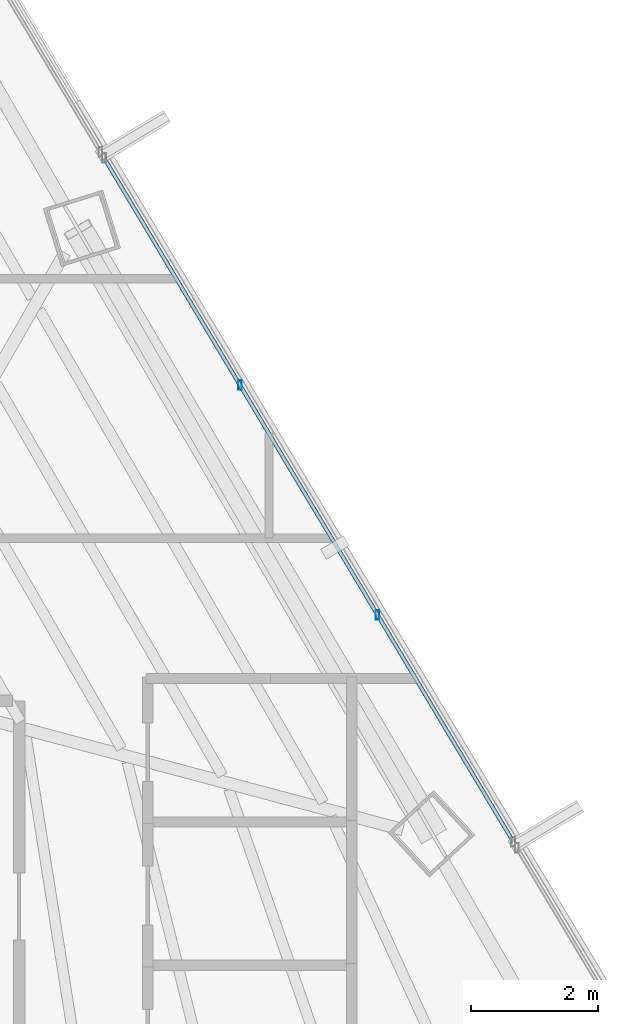
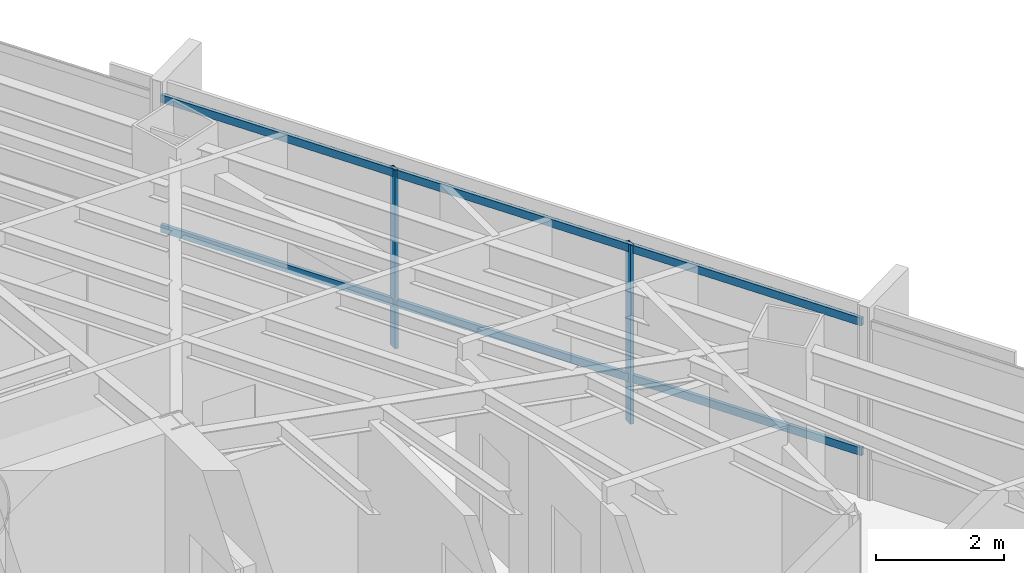
# One storey, part 25 of 41: 4 members, 1 element without a shape of its own.
"""IFC4 building model written with IfcOpenShell, lengths in metres."""

import ifcopenshell
import ifcopenshell.guid

model = None  # the IFC model being written
_history = None  # IfcOwnerHistory: only IFC2X3 demands one
_inside = {}  # id of a spatial element -> (the spatial element, [elements in it])
_under = {}  # id of a project, library or spatial element -> (it, [spatial elements below it])
_declared = {}  # id of a project -> (the project, [libraries it declares])
_typed = {}  # id of a type object -> (the type object, [elements of that type])
_made_of = {}  # id of a material, layer set ... -> (it, [elements and type objects made of it])


def new_model(schema):
    """Start an empty IFC model of exactly this schema.

    Asked for "IFC4X3", IfcOpenShell would pick the latest addendum, in which some entities
    have other attributes; the version numbers below select the first issue.
    IFC2X3 requires an IfcOwnerHistory on every rooted entity: one is made here for all.
    """
    global model, _history
    if schema == "IFC4X3":
        model = ifcopenshell.file(schema_version=(4, 3, 0, 0))
    else:
        model = ifcopenshell.file(schema=schema)
    _inside.clear()
    _under.clear()
    _declared.clear()
    _typed.clear()
    _made_of.clear()
    _history = None
    if model.schema == "IFC2X3":
        org = make("IfcOrganization", Name="unknown")
        user = make(
            "IfcPersonAndOrganization",
            ThePerson=make("IfcPerson", FamilyName="unknown"),
            TheOrganization=org,
        )
        app = make(
            "IfcApplication",
            ApplicationDeveloper=org,
            Version="unknown",
            ApplicationFullName="unknown",
            ApplicationIdentifier="unknown",
        )
        _history = make(
            "IfcOwnerHistory",
            OwningUser=user,
            OwningApplication=app,
            ChangeAction="ADDED",
            CreationDate=0,
        )
    return model


def make(cls, **values):
    """One entity of the class cls with the attributes given. An attribute that is None is left unset."""
    return model.create_entity(
        cls, **{name: value for name, value in values.items() if value is not None}
    )


def rooted(cls, **values):
    """An entity with a GlobalId (a new one), such as an element, a storey or a relation."""
    return make(cls, GlobalId=ifcopenshell.guid.new(), OwnerHistory=_history, **values)


def si_unit(unit_type, name, prefix=None):
    """IfcSIUnit, for example si_unit("LENGTHUNIT", "METRE", prefix="MILLI")."""
    return make("IfcSIUnit", UnitType=unit_type, Prefix=prefix, Name=name)


def assignment(units):
    """IfcUnitAssignment: the units of a project."""
    return None if units is None else make("IfcUnitAssignment", Units=units)


def point(xyz):
    """IfcCartesianPoint."""
    return None if xyz is None else make("IfcCartesianPoint", Coordinates=xyz)


def direction(xyz):
    """IfcDirection."""
    return None if xyz is None else make("IfcDirection", DirectionRatios=xyz)


def frame(location, z_axis=None, x_axis=None):
    """IfcAxis2Placement3D, a coordinate frame: its origin and axes. An axis left out is left unset."""
    return make(
        "IfcAxis2Placement3D",
        Location=point(location),
        Axis=direction(z_axis),
        RefDirection=direction(x_axis),
    )


def frame_2d(location, x_axis=None):
    """IfcAxis2Placement2D, a coordinate frame in the plane: its origin and x axis."""
    return make(
        "IfcAxis2Placement2D", Location=point(location), RefDirection=direction(x_axis)
    )


def origin():
    """The frame at (0, 0, 0) with its axes left unset."""
    return frame((0.0, 0.0, 0.0))


def origin_2d():
    """The frame at (0, 0) in the plane with its x axis left unset."""
    return frame_2d((0.0, 0.0))


def place(relative_to, where):
    """IfcLocalPlacement: puts the frame where relative to a parent placement (None: the world)."""
    return make(
        "IfcLocalPlacement", PlacementRelTo=relative_to, RelativePlacement=where
    )


def context(
    kind, dimensions, precision=None, world=None, true_north=None, identifier=None
):
    """IfcGeometricRepresentationContext, for example the 3D "Model" context."""
    return make(
        "IfcGeometricRepresentationContext",
        ContextIdentifier=identifier,
        ContextType=kind,
        CoordinateSpaceDimension=dimensions,
        Precision=precision,
        WorldCoordinateSystem=world,
        TrueNorth=true_north,
    )


def subcontext(parent, identifier, kind, view, scale=None):
    """IfcGeometricRepresentationSubContext, for example "Body" below "Model"."""
    return make(
        "IfcGeometricRepresentationSubContext",
        ContextIdentifier=identifier,
        ContextType=kind,
        ParentContext=parent,
        TargetScale=scale,
        TargetView=view,
    )


def project(units=None, contexts=None):
    """IfcProject with its units and contexts."""
    return rooted(
        "IfcProject",
        Name="project",
        RepresentationContexts=contexts,
        UnitsInContext=assignment(units),
    )


def spatial(cls, under=None, at=None, **own):
    """A site, building, storey or space (cls), placed at a placement, below another one or the project."""
    s = rooted(cls, ObjectPlacement=at, **own)
    if under is not None:
        _under.setdefault(under.id(), (under, []))[1].append(s)
    return s


def profile(cls, at=None, kind="AREA", **sizes):
    """A parametric profile (cls). Its sizes go by their IFC names, for example OverallWidth=200.0."""
    return make(cls, ProfileType=kind, Position=at, **sizes)


def hollow_rectangle(**sizes):
    """IfcRectangleHollowProfileDef."""
    return profile("IfcRectangleHollowProfileDef", **sizes)


def extrude(swept, where, along, depth):
    """IfcExtrudedAreaSolid: the profile swept, set in the frame where, extruded along a direction by depth."""
    return make(
        "IfcExtrudedAreaSolid",
        SweptArea=swept,
        Position=where,
        ExtrudedDirection=direction(along),
        Depth=depth,
    )


def shape(context_of_items, identifier, shape_type, items):
    """IfcShapeRepresentation: the items that make up one representation, for example the "Body"."""
    return make(
        "IfcShapeRepresentation",
        ContextOfItems=context_of_items,
        RepresentationIdentifier=identifier,
        RepresentationType=shape_type,
        Items=items,
    )


def source(mapping_origin, context_of_items, identifier, shape_type, items):
    """IfcRepresentationMap: a shape defined once, which mapped items show again and again."""
    return make(
        "IfcRepresentationMap",
        MappingOrigin=mapping_origin,
        MappedRepresentation=shape(context_of_items, identifier, shape_type, items),
    )


def transform(
    local_origin,
    x_axis=None,
    y_axis=None,
    z_axis=None,
    scale=None,
    scale2=None,
    scale3=None,
    uniform=True,
):
    """IfcCartesianTransformationOperator3D, or its non-uniform kind. x_axis, y_axis, z_axis: its Axis1, 2, 3."""
    if uniform:
        return make(
            "IfcCartesianTransformationOperator3D",
            Axis1=direction(x_axis),
            Axis2=direction(y_axis),
            LocalOrigin=point(local_origin),
            Scale=scale,
            Axis3=direction(z_axis),
        )
    return make(
        "IfcCartesianTransformationOperator3DnonUniform",
        Axis1=direction(x_axis),
        Axis2=direction(y_axis),
        LocalOrigin=point(local_origin),
        Scale=scale,
        Axis3=direction(z_axis),
        Scale2=scale2,
        Scale3=scale3,
    )


def mapped(mapping_source, mapping_target):
    """IfcMappedItem: shows the shape of a source again, moved by a transform."""
    return make(
        "IfcMappedItem", MappingSource=mapping_source, MappingTarget=mapping_target
    )


def material(Name=None, Category=None):
    """IfcMaterial."""
    return make("IfcMaterial", Name=Name, Category=Category)


def material_profile(
    of_material, cross_section, Name=None, Category=None, Priority=None
):
    """IfcMaterialProfile: a cross section and its material."""
    return make(
        "IfcMaterialProfile",
        Name=Name,
        Material=of_material,
        Profile=cross_section,
        Priority=Priority,
        Category=Category,
    )


def profile_set(profiles, Name=None, composite=None):
    """IfcMaterialProfileSet."""
    return make(
        "IfcMaterialProfileSet",
        Name=Name,
        MaterialProfiles=profiles,
        CompositeProfile=composite,
    )


def made_of(thing, what):
    """Note that an element or type object is made of a material, layer set ...; save() writes the relation."""
    if what is not None:
        _made_of.setdefault(what.id(), (what, []))[1].append(thing)
    return thing


def type_object(cls, material=None, **own):
    """A type object (cls), such as IfcWallType, which elements share."""
    return made_of(rooted(cls, **own), material)


def type_shapes(of_type, sources):
    """Give a type object the sources (RepresentationMaps) that its elements show as mapped items."""
    of_type.RepresentationMaps = sources


def element(
    cls,
    number,
    at=None,
    inside=None,
    cuts=None,
    type_object=None,
    material=None,
    context=None,
    identifier="Body",
    shape_type=None,
    held_by="IfcProductDefinitionShape",
    body=None,
    shapes=None,
    **own,
):
    """One element of the class cls, such as IfcWall. Its Tag is "e" and its number.

    at: its placement. inside: the storey or other place that contains it. cuts: it is an
    opening in that element (IfcRelVoidsElement). A single representation is given by context,
    identifier, shape_type and body (its items); several are given by shapes. held_by: the class
    of the entity that holds the representations. save() writes the other relations.
    """
    e = rooted(cls, Tag="e%d" % number, ObjectPlacement=at, **own)
    if body is not None:
        shapes = [shape(context, identifier, shape_type, body)]
    if shapes is not None:
        e.Representation = make(held_by, Representations=shapes)
    if inside is not None:
        _inside.setdefault(inside.id(), (inside, []))[1].append(e)
    if cuts is not None:
        rooted(
            "IfcRelVoidsElement", RelatingBuildingElement=cuts, RelatedOpeningElement=e
        )
    if type_object is not None:
        _typed.setdefault(type_object.id(), (type_object, []))[1].append(e)
    return made_of(e, material)


def aggregate(whole, parts):
    """IfcRelAggregates: a whole, such as a stair, and the parts it consists of."""
    return rooted("IfcRelAggregates", RelatingObject=whole, RelatedObjects=parts)


def save(model, path):
    """Write the relations noted so far, then the file.

    IfcRelAggregates (storeys below a building ...), IfcRelContainedInSpatialStructure (elements
    in a storey), IfcRelDefinesByType, IfcRelAssociatesMaterial and IfcRelDeclares: one each for
    every whole, place, type object, material and project.
    """
    for whole, parts in _under.values():
        aggregate(whole, parts)
    for where, things in _inside.values():
        rooted(
            "IfcRelContainedInSpatialStructure",
            RelatedElements=things,
            RelatingStructure=where,
        )
    for kind, things in _typed.values():
        rooted("IfcRelDefinesByType", RelatedObjects=things, RelatingType=kind)
    for what, things in _made_of.values():
        rooted("IfcRelAssociatesMaterial", RelatedObjects=things, RelatingMaterial=what)
    for by, libraries in _declared.values():
        rooted("IfcRelDeclares", RelatingContext=by, RelatedDefinitions=libraries)
    model.write(path)


model = new_model("IFC4")

# Units and contexts
model_context = context("Model", 3, precision=1e-05, world=origin(), true_north=direction((0.0, 1.0)))
body_context = subcontext(model_context, "Body", "Model", "MODEL_VIEW")
ifc_project = project(units=[si_unit("LENGTHUNIT", "METRE"), si_unit("AREAUNIT", "SQUARE_METRE"), si_unit("VOLUMEUNIT", "CUBIC_METRE"), si_unit("PLANEANGLEUNIT", "RADIAN"), si_unit("MASSUNIT", "GRAM", prefix="KILO")], contexts=[model_context])

# Site, building, storey
site_placement = place(None, origin())
site = spatial("IfcSite", under=ifc_project, at=site_placement, CompositionType="ELEMENT")
building_placement = place(site_placement, origin())
building = spatial("IfcBuilding", under=site, at=building_placement, Name="Caelisora Broadcast Tower", CompositionType="ELEMENT")
storey_placement = place(building_placement, frame((0.0, 0.0, 162.14990234375)))
storey = spatial("IfcBuildingStorey", under=building, at=storey_placement, Name="L42", CompositionType="ELEMENT", Elevation=162.14990234375)

# Curtain wall, members
ifc_material_1 = material(Name="Unitised Aluminium Insulated Shadow-Box Spandrel Curtain Wall", Category="aluminium")
curtain_wall_type = type_object("IfcCurtainWallType", Name="CW-SP2", PredefinedType="NOTDEFINED", material=ifc_material_1)
curtain_wall_placement = place(storey_placement, origin())
curtain_wall = element("IfcCurtainWall", 1, at=curtain_wall_placement, inside=storey, type_object=curtain_wall_type, Name="L42 curtain wall CW-SP2", PredefinedType="NOTDEFINED")
ifc_material_2 = material(Name="Aluminium 6063-T6 Anodised Terracotta Bronze", Category="aluminium")
ifc_material_profile_1 = material_profile(ifc_material_2, hollow_rectangle(XDim=0.06005859375, YDim=0.14990234375, WallThickness=0.00341796875, at=origin_2d()), Name="Aluminium 6063-T6 Anodised Terracotta Bronze")
ifc_profile_set_1 = profile_set([ifc_material_profile_1], Name="Aluminium 6063-T6 Anodised Terracotta Bronze")
member_type_1 = type_object("IfcMemberType", Name="CWM-03", PredefinedType="MULLION", material=ifc_profile_set_1)
shared_shape_1 = source(origin(), body_context, "Body", "SweptSolid", [
    extrude(hollow_rectangle(XDim=0.06005859375, YDim=0.14990234375, WallThickness=0.00341796875, at=origin_2d()), origin(), (0.0, 0.0, 1.0), 3.400146484375),
])
type_shapes(member_type_1, [shared_shape_1])
member_1_placement = place(storey_placement, frame((52.046875, 34.552001953125, 0.0), z_axis=(0.0, 0.0, 1.0), x_axis=(1.0, 0.0, 0.0)))
member_1 = element("IfcMember", 2, at=member_1_placement, type_object=member_type_1, Name="L42-CW-B02 mullion #1", PredefinedType="MULLION", context=body_context, shape_type="MappedRepresentation", body=[
    mapped(shared_shape_1, transform((0.0, 0.0, 0.0), scale=1.0)),
])
member_2_placement = place(storey_placement, frame((54.2041015625, 30.947509765625, 0.0), z_axis=(0.0, 0.0, 1.0), x_axis=(1.0, 0.0, 0.0)))
member_2 = element("IfcMember", 3, at=member_2_placement, type_object=member_type_1, Name="L42-CW-B02 mullion #2", PredefinedType="MULLION", context=body_context, shape_type="MappedRepresentation", body=[
    mapped(shared_shape_1, transform((0.0, 0.0, 0.0), scale=1.0)),
])
ifc_material_profile_2 = material_profile(ifc_material_2, hollow_rectangle(XDim=0.06005859375, YDim=0.14990234375, WallThickness=0.00341796875, at=origin_2d()), Name="Aluminium 6063-T6 Anodised Terracotta Bronze")
ifc_profile_set_2 = profile_set([ifc_material_profile_2], Name="Aluminium 6063-T6 Anodised Terracotta Bronze")
member_type_2 = type_object("IfcMemberType", Name="CWT-02", PredefinedType="USERDEFINED", material=ifc_profile_set_2)
shared_shape_2 = source(origin(), body_context, "Body", "SweptSolid", [
    extrude(hollow_rectangle(XDim=0.06005859375, YDim=0.14990234375, WallThickness=0.00341796875, at=origin_2d()), origin(), (0.0, 0.0, 1.0), 12.501708984375),
])
type_shapes(member_type_2, [shared_shape_2])
member_3_placement = place(storey_placement, frame((49.915283203125, 38.11328125, 0.85009765625), z_axis=(0.513564968824, -0.858050711087, 0.0), x_axis=(0.858050711087, 0.513564968824, 0.0)))
member_3 = element("IfcMember", 4, at=member_3_placement, type_object=member_type_2, Name="L42-CW-B02 transom #1", ObjectType="TRANSOM", PredefinedType="USERDEFINED", context=body_context, shape_type="MappedRepresentation", body=[
    mapped(shared_shape_2, transform((0.0, 0.0, 0.0), scale=1.0)),
])
member_4_placement = place(storey_placement, frame((49.915283203125, 38.11328125, 3.320068359375), z_axis=(0.513564968824, -0.858050711087, 0.0), x_axis=(0.858050711087, 0.513564968824, 0.0)))
member_4 = element("IfcMember", 5, at=member_4_placement, type_object=member_type_2, Name="L42-CW-B02 transom #2", ObjectType="TRANSOM", PredefinedType="USERDEFINED", context=body_context, shape_type="MappedRepresentation", body=[
    mapped(shared_shape_2, transform((0.0, 0.0, 0.0), scale=1.0)),
])
aggregate(curtain_wall, [member_1, member_2, member_3, member_4])

save(model, "model.ifc")
